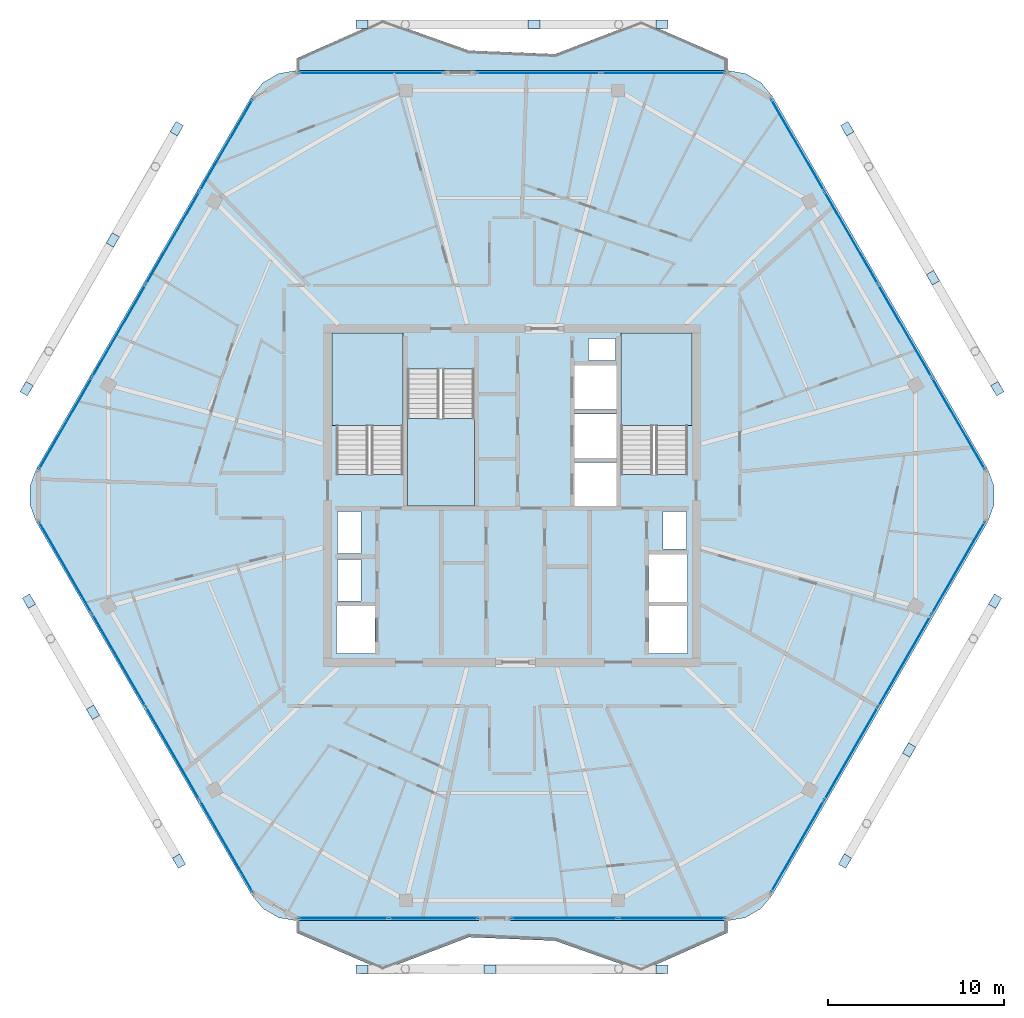
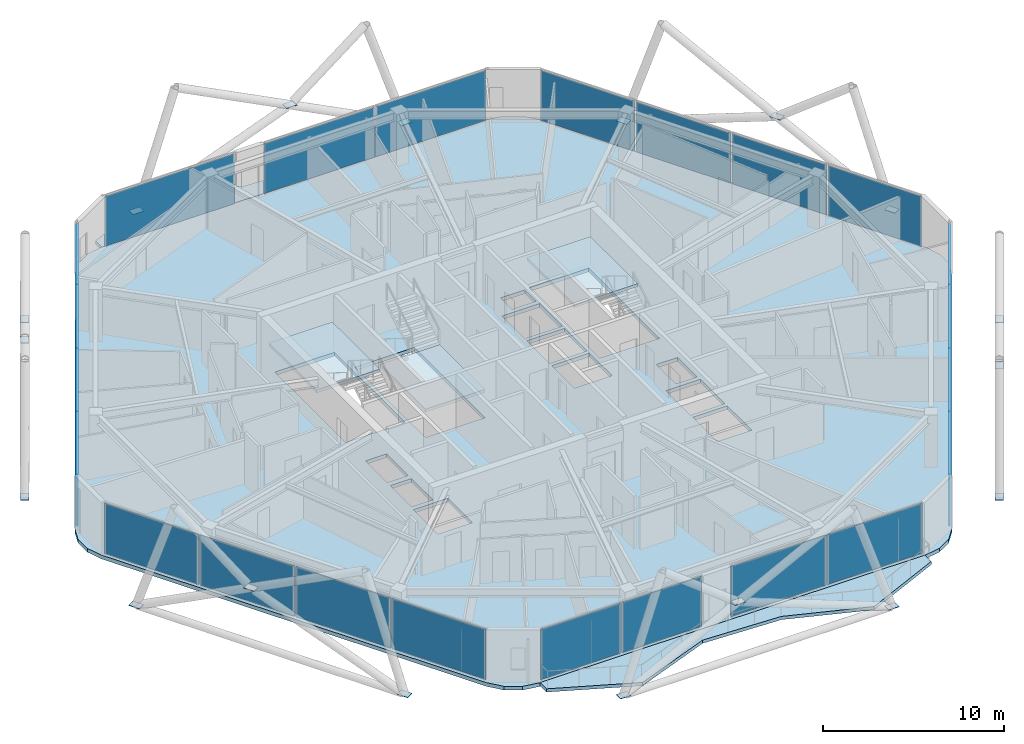
# One storey, part 15 of 23: 41 plates, 6 slabs, 11 elements without a shape of their own.
"""IFC4 building model written with IfcOpenShell, lengths in metres."""

from ifc_helpers import new_model, si_unit, direction, frame, origin, origin_2d, place, context, subcontext, project, spatial, polyline, rectangle, outline, extrude, material, layer, layer_set, type_object, element, aggregate, save


model = new_model("IFC4")

# Units and contexts
model_context = context("Model", 3, precision=1e-05, world=origin(), true_north=direction((0.0, 1.0)))
body_context = subcontext(model_context, "Body", "Model", "MODEL_VIEW")
ifc_project = project(units=[si_unit("LENGTHUNIT", "METRE"), si_unit("AREAUNIT", "SQUARE_METRE"), si_unit("VOLUMEUNIT", "CUBIC_METRE"), si_unit("PLANEANGLEUNIT", "RADIAN"), si_unit("MASSUNIT", "GRAM", prefix="KILO")], contexts=[model_context])

# Site, building, storey
site_placement = place(None, origin())
site = spatial("IfcSite", under=ifc_project, at=site_placement, CompositionType="ELEMENT")
building_placement = place(site_placement, origin())
building = spatial("IfcBuilding", under=site, at=building_placement, Name="Zuhravey Tower", CompositionType="ELEMENT")
storey_placement = place(building_placement, frame((0.0, 0.0, 346.199951171875)))
storey = spatial("IfcBuildingStorey", under=building, at=storey_placement, Name="L88", CompositionType="ELEMENT", Elevation=346.199951171875)

# Plates
ifc_material_1 = material(Name="Steel SM460", Category="steel")
ifc_layer_1 = layer(ifc_material_1, 0.028076171875)
ifc_layer_set_1 = layer_set([ifc_layer_1], Name="Steel SM460")
plate_type_1 = type_object("IfcPlateType", Name="Exoskeleton Zone 4 Node Plate ND4", PredefinedType="SHEET", material=ifc_layer_set_1)
for number, where, z_axis, x_axis, name in (
    (1, (63.6435546875, 38.087890625, -0.47802734375), (0.0, 0.0, 1.0), (-0.5, 0.866025403784, 0.0), "L88 Exoskeleton Node Gusset L88-01"),
    (2, (55.093994140625, 52.89599609375, -0.47802734375), (0.0, 0.0, 1.0), (-0.5, 0.866025403784, 0.0), "L88 Exoskeleton Node Gusset L88-02"),
    (3, (44.549560546875, 58.833984375, -0.47802734375), (0.0, 0.0, 1.0), (-1.0, 0.0, 0.0), "L88 Exoskeleton Node Gusset L88-03"),
    (4, (27.450439453125, 58.833984375, -0.47802734375), (0.0, 0.0, 1.0), (-1.0, 0.0, 0.0), "L88 Exoskeleton Node Gusset L88-04"),
    (5, (16.906005859375, 52.89599609375, -0.47802734375), (0.0, 0.0, 1.0), (-0.5, -0.866025403784, 0.0), "L88 Exoskeleton Node Gusset L88-05"),
    (6, (8.3564453125, 38.087890625, -0.47802734375), (0.0, 0.0, 1.0), (-0.5, -0.866025403784, 0.0), "L88 Exoskeleton Node Gusset L88-06"),
    (7, (8.486328125, 25.987060546875, -0.47802734375), (0.0, 0.0, 1.0), (0.5, -0.866025403784, 0.0), "L88 Exoskeleton Node Gusset L88-07"),
    (8, (17.035888671875, 11.178955078125, -0.47802734375), (0.0, 0.0, 1.0), (0.5, -0.866025403784, 0.0), "L88 Exoskeleton Node Gusset L88-08"),
    (9, (27.450439453125, 5.015869140625, -0.47802734375), (0.0, 0.0, 1.0), (1.0, 0.0, 0.0), "L88 Exoskeleton Node Gusset L88-09"),
    (10, (44.549560546875, 5.015869140625, -0.47802734375), (0.0, 0.0, 1.0), (1.0, 0.0, 0.0), "L88 Exoskeleton Node Gusset L88-10"),
    (11, (54.964111328125, 11.178955078125, -0.47802734375), (0.0, 0.0, 1.0), (0.5, 0.866025403784, 0.0), "L88 Exoskeleton Node Gusset L88-11"),
    (12, (63.513671875, 25.987060546875, -0.47802734375), (0.0, 0.0, 1.0), (0.5, 0.866025403784, 0.0), "L88 Exoskeleton Node Gusset L88-12"),
    (13, (59.976318359375, 44.409912109375, 3.25439453125), (0.0, 0.0, 1.0), (-0.5, 0.866025403784, 0.0), "L88 Face 1 Diagrid X-Crossing Plate"),
    (14, (37.2412109375, 58.833984375, 3.25439453125), (0.0, 0.0, 1.0), (-1.0, 0.0, 0.0), "L88 Face 2 Diagrid X-Crossing Plate"),
    (15, (13.2646484375, 46.559326171875, 3.25439453125), (0.0, 0.0, 1.0), (-0.5, -0.866025403784, 0.0), "L88 Face 3 Diagrid X-Crossing Plate"),
    (16, (12.140380859375, 19.65771484375, 3.25439453125), (0.0, 0.0, 1.0), (0.5, -0.866025403784, 0.0), "L88 Face 4 Diagrid X-Crossing Plate"),
    (17, (34.7587890625, 5.031005859375, 3.25439453125), (0.0, 0.0, 1.0), (1.0, 0.0, 0.0), "L88 Face 5 Diagrid X-Crossing Plate"),
    (18, (58.618408203125, 17.50830078125, 3.25439453125), (0.0, 0.0, 1.0), (0.5, 0.866025403784, 0.0), "L88 Face 6 Diagrid X-Crossing Plate"),
):
    element("IfcPlate", number, at=place(storey_placement, frame(where, z_axis=z_axis, x_axis=x_axis)), inside=storey, type_object=plate_type_1, Name=name, PredefinedType="SHEET", context=body_context, shape_type="SweptSolid", body=[
        extrude(rectangle(XDim=0.679931640625, YDim=0.47998046875, at=origin_2d()), origin(), (0.0, 0.0, 1.0), 0.028076171875),
    ])

# Slabs
ifc_material_2 = material(Name="Concrete C50/60", Category="concrete")
ifc_layer_2 = layer(ifc_material_2, 0.25)
ifc_layer_set_2 = layer_set([ifc_layer_2], Name="Concrete C50/60")
slab_type_1 = type_object("IfcSlabType", Name="Residential Acoustic Slab 250", PredefinedType="FLOOR", material=ifc_layer_set_2)
slab_1_placement = place(storey_placement, frame((0.0, 0.0, -0.25)))
element("IfcSlab", 19, at=slab_1_placement, inside=storey, type_object=slab_type_1, Name="L88 Floor Slab FS25", PredefinedType="FLOOR", context=body_context, shape_type="SweptSolid", body=[
    extrude(outline(polyline([(63.1083984375, 30.52490234375), (63.458740234375, 31.48779296875), (63.458740234375, 32.51220703125), (63.1083984375, 33.47509765625), (50.83154296875, 54.739013671875), (50.173095703125, 55.52392578125), (49.285888671875, 56.0361328125), (48.27685546875, 56.214111328125), (23.72314453125, 56.214111328125), (22.714111328125, 56.0361328125), (21.826904296875, 55.52392578125), (21.16845703125, 54.739013671875), (8.8916015625, 33.47509765625), (8.541259765625, 32.51220703125), (8.541259765625, 31.48779296875), (8.8916015625, 30.52490234375), (21.16845703125, 9.260986328125), (21.826904296875, 8.47607421875), (22.714111328125, 7.9638671875), (23.72314453125, 7.785888671875), (48.27685546875, 7.785888671875), (49.285888671875, 7.9638671875), (50.173095703125, 8.47607421875), (50.83154296875, 9.260986328125), (63.1083984375, 30.52490234375)]), holes=[polyline([(29.800048828125, 33.20068359375), (29.800048828125, 41.0), (26.0, 41.0), (26.0, 33.20068359375), (29.800048828125, 33.20068359375)]), polyline([(46.0, 33.20068359375), (46.0, 41.0), (42.199951171875, 41.0), (42.199951171875, 33.20068359375), (46.0, 33.20068359375)]), polyline([(30.050048828125, 39.199462890625), (30.050048828125, 31.39990234375), (33.85009765625, 31.39990234375), (33.85009765625, 39.199462890625), (30.050048828125, 39.199462890625)]), polyline([(39.550048828125, 31.39990234375), (41.949951171875, 31.39990234375), (41.949951171875, 33.89990234375), (39.550048828125, 33.89990234375), (39.550048828125, 31.39990234375)]), polyline([(39.550048828125, 34.14990234375), (41.949951171875, 34.14990234375), (41.949951171875, 36.64990234375), (39.550048828125, 36.64990234375), (39.550048828125, 34.14990234375)]), polyline([(39.550048828125, 36.89990234375), (41.949951171875, 36.89990234375), (41.949951171875, 39.39990234375), (39.550048828125, 39.39990234375), (39.550048828125, 36.89990234375)]), polyline([(26.0, 23.0), (28.199951171875, 23.0), (28.199951171875, 25.699951171875), (26.0, 25.699951171875), (26.0, 23.0)]), polyline([(43.800048828125, 23.0), (46.0, 23.0), (46.0, 25.699951171875), (43.800048828125, 25.699951171875), (43.800048828125, 23.0)]), polyline([(43.800048828125, 25.949951171875), (46.0, 25.949951171875), (46.0, 28.64990234375), (43.800048828125, 28.64990234375), (43.800048828125, 25.949951171875)]), polyline([(26.050048828125, 26.0), (27.39990234375, 26.0), (27.39990234375, 28.35009765625), (26.050048828125, 28.35009765625), (26.050048828125, 26.0)]), polyline([(26.050048828125, 28.699951171875), (27.39990234375, 28.699951171875), (27.39990234375, 31.10009765625), (26.050048828125, 31.10009765625), (26.050048828125, 28.699951171875)]), polyline([(44.60009765625, 28.949951171875), (45.949951171875, 28.949951171875), (45.949951171875, 31.10009765625), (44.60009765625, 31.10009765625), (44.60009765625, 28.949951171875)]), polyline([(40.35009765625, 39.699951171875), (41.89990234375, 39.699951171875), (41.89990234375, 40.949951171875), (40.35009765625, 40.949951171875), (40.35009765625, 39.699951171875)])]), origin(), (0.0, 0.0, 1.0), 0.25),
])
ifc_material_3 = material(Name="Concrete C40/50", Category="concrete")
ifc_layer_3 = layer(ifc_material_3, 0.219970703125)
ifc_layer_set_3 = layer_set([ifc_layer_3], Name="Concrete C40/50")
slab_type_2 = type_object("IfcSlabType", Name="Sinusoidal Residential Wave Balcony 220", PredefinedType="FLOOR", material=ifc_layer_set_3)
slab_2_placement = place(storey_placement, frame((0.0, 0.0, -0.219970703125)))
element("IfcSlab", 20, at=slab_2_placement, inside=storey, type_object=slab_type_2, Name="L88 Face 5 Wave Balcony WB22", PredefinedType="FLOOR", context=body_context, shape_type="SweptSolid", body=[
    extrude(outline(polyline([(23.731689453125, 7.80078125), (48.268310546875, 7.80078125), (48.268310546875, 7.100830078125), (43.36083984375, 4.913330078125), (38.45361328125, 6.648681640625), (33.54638671875, 6.852294921875), (28.63916015625, 4.97509765625), (23.731689453125, 7.100830078125), (23.731689453125, 7.80078125)])), origin(), (0.0, 0.0, 1.0), 0.219970703125),
])
slab_3_placement = place(storey_placement, frame((0.0, 0.0, -0.219970703125)))
element("IfcSlab", 21, at=slab_3_placement, inside=storey, type_object=slab_type_2, Name="L88 Face 2 Wave Balcony WB22", PredefinedType="FLOOR", context=body_context, shape_type="SweptSolid", body=[
    extrude(outline(polyline([(48.268310546875, 56.19921875), (23.731689453125, 56.19921875), (23.731689453125, 56.899169921875), (28.63916015625, 59.086669921875), (33.54638671875, 57.351318359375), (38.45361328125, 57.147705078125), (43.36083984375, 59.02490234375), (48.268310546875, 56.899169921875), (48.268310546875, 56.19921875)])), origin(), (0.0, 0.0, 1.0), 0.219970703125),
])

# Stair, slab
stair_type = type_object("IfcStairType", Name="Housing Storey Stair Assembly 3800", PredefinedType="HALF_TURN_STAIR", material=ifc_material_3)
stair_1_placement = place(storey_placement, origin())
stair_1 = element("IfcStair", 22, at=stair_1_placement, inside=storey, type_object=stair_type, Name="L88 Core Exit Stair ST1", PredefinedType="HALF_TURN_STAIR")
ifc_layer_4 = layer(ifc_material_3, 0.199951171875)
ifc_layer_set_4 = layer_set([ifc_layer_4], Name="Concrete C40/50")
slab_type_3 = type_object("IfcSlabType", Name="Stair Landing Slab 200", PredefinedType="LANDING", material=ifc_layer_set_4)
slab_4_placement = place(storey_placement, frame((0.0, 0.0, 1.699951171875)))
slab_4 = element("IfcSlab", 23, at=slab_4_placement, type_object=slab_type_3, Name="ST1 landing 1", PredefinedType="LANDING", context=body_context, shape_type="SweptSolid", body=[
    extrude(outline(polyline([(29.800048828125, 36.0), (29.800048828125, 41.248046875), (25.751953125, 41.248046875), (25.751953125, 36.0), (29.800048828125, 36.0)])), origin(), (0.0, 0.0, 1.0), 0.2001953125),
])
aggregate(stair_1, [slab_4])

stair_2_placement = place(storey_placement, origin())
stair_2 = element("IfcStair", 24, at=stair_2_placement, inside=storey, type_object=stair_type, Name="L88 Core Exit Stair ST2", PredefinedType="HALF_TURN_STAIR")
slab_5_placement = place(storey_placement, frame((0.0, 0.0, 1.699951171875)))
slab_5 = element("IfcSlab", 25, at=slab_5_placement, type_object=slab_type_3, Name="ST2 landing 1", PredefinedType="LANDING", context=body_context, shape_type="SweptSolid", body=[
    extrude(outline(polyline([(46.248046875, 36.0), (46.248046875, 41.248046875), (42.199951171875, 41.248046875), (42.199951171875, 36.0), (46.248046875, 36.0)])), origin(), (0.0, 0.0, 1.0), 0.2001953125),
])
aggregate(stair_2, [slab_5])

stair_3_placement = place(storey_placement, origin())
stair_3 = element("IfcStair", 26, at=stair_3_placement, inside=storey, type_object=stair_type, Name="L88 Core Exit Stair ST3", PredefinedType="HALF_TURN_STAIR")
slab_6_placement = place(storey_placement, frame((0.0, 0.0, 1.699951171875)))
slab_6 = element("IfcSlab", 27, at=slab_6_placement, type_object=slab_type_3, Name="ST3 landing 1", PredefinedType="LANDING", context=body_context, shape_type="SweptSolid", body=[
    extrude(outline(polyline([(30.050048828125, 36.39990234375), (30.050048828125, 31.39990234375), (33.85009765625, 31.39990234375), (33.85009765625, 36.39990234375), (30.050048828125, 36.39990234375)])), origin(), (0.0, 0.0, 1.0), 0.2001953125),
])
aggregate(stair_3, [slab_6])

# Curtain wall, plates
ifc_material_4 = material(Name="Thermally broken anodised aluminium", Category="aluminium")
curtain_wall_type = type_object("IfcCurtainWallType", Name="Zone 3-4 High-Rise Curtain Wall CW4", PredefinedType="NOTDEFINED", material=ifc_material_4)
curtain_wall_1_placement = place(storey_placement, origin())
curtain_wall_1 = element("IfcCurtainWall", 28, at=curtain_wall_1_placement, inside=storey, type_object=curtain_wall_type, Name="L88 CW4 CW-L88-F6-1", PredefinedType="NOTDEFINED")
ifc_material_5 = material(Name="Triple low-E insulated vision glass", Category="glass")
ifc_layer_5 = layer(ifc_material_5, 0.0419921875)
ifc_layer_set_5 = layer_set([ifc_layer_5], Name="Triple low-E insulated vision glass")
plate_type_2 = type_object("IfcPlateType", Name="Triple Low-E Vision Panel", PredefinedType="CURTAIN_PANEL", material=ifc_layer_set_5)
plate_1_placement = place(storey_placement, frame((61.42724609375, 27.89306640625, 0.090087890625), z_axis=(0.0, 0.0, 1.0), x_axis=(-0.49999981336, -0.866025511541, 0.0)))
plate_1 = element("IfcPlate", 29, at=plate_1_placement, type_object=plate_type_2, Name="CW4 panel 1.1", PredefinedType="CURTAIN_PANEL", context=body_context, shape_type="SweptSolid", body=[
    extrude(rectangle(XDim=5.984619140625, YDim=0.0419921875, at=origin_2d()), origin(), (0.0, 0.0, 1.0), 3.3701171875),
])
plate_2_placement = place(storey_placement, frame((58.378662109375, 22.61279296875, 0.090087890625), z_axis=(0.0, 0.0, 1.0), x_axis=(-0.49999981336, -0.866025511541, 0.0)))
plate_2 = element("IfcPlate", 30, at=plate_2_placement, type_object=plate_type_2, Name="CW4 panel 2.1", PredefinedType="CURTAIN_PANEL", context=body_context, shape_type="SweptSolid", body=[
    extrude(rectangle(XDim=6.029541015625, YDim=0.0419921875, at=origin_2d()), origin(), (0.0, 0.0, 1.0), 3.3701171875),
])
plate_3_placement = place(storey_placement, frame((55.31884765625, 17.31298828125, 0.090087890625), z_axis=(0.0, 0.0, 1.0), x_axis=(-0.49999981336, -0.866025511541, 0.0)))
plate_3 = element("IfcPlate", 31, at=plate_3_placement, type_object=plate_type_2, Name="CW4 panel 3.1", PredefinedType="CURTAIN_PANEL", context=body_context, shape_type="SweptSolid", body=[
    extrude(rectangle(XDim=6.029541015625, YDim=0.0419921875, at=origin_2d()), origin(), (0.0, 0.0, 1.0), 3.3701171875),
])
plate_4_placement = place(storey_placement, frame((52.270263671875, 12.03271484375, 0.090087890625), z_axis=(0.0, 0.0, 1.0), x_axis=(-0.49999981336, -0.866025511541, 0.0)))
plate_4 = element("IfcPlate", 32, at=plate_4_placement, type_object=plate_type_2, Name="CW4 panel 4.1", PredefinedType="CURTAIN_PANEL", context=body_context, shape_type="SweptSolid", body=[
    extrude(rectangle(XDim=5.984619140625, YDim=0.0419921875, at=origin_2d()), origin(), (0.0, 0.0, 1.0), 3.3701171875),
])
aggregate(curtain_wall_1, [plate_1, plate_2, plate_3, plate_4])

curtain_wall_2_placement = place(storey_placement, origin())
curtain_wall_2 = element("IfcCurtainWall", 33, at=curtain_wall_2_placement, inside=storey, type_object=curtain_wall_type, Name="L88 CW4 CW-L88-F5-1", PredefinedType="NOTDEFINED")
plate_5_placement = place(storey_placement, frame((45.12646484375, 7.92578125, 0.090087890625), z_axis=(0.0, 0.0, 1.0), x_axis=(-1.0, 0.0, 0.0)))
plate_5 = element("IfcPlate", 34, at=plate_5_placement, type_object=plate_type_2, Name="CW4 panel 1.1", PredefinedType="CURTAIN_PANEL", context=body_context, shape_type="SweptSolid", body=[
    extrude(rectangle(XDim=6.045654296875, YDim=0.0419921875, at=origin_2d()), origin(), (0.0, 0.0, 1.0), 3.3701171875),
])
plate_6_placement = place(storey_placement, frame((38.99072265625, 7.92578125, 0.090087890625), z_axis=(0.0, 0.0, 1.0), x_axis=(-1.0, 0.0, 0.0)))
plate_6 = element("IfcPlate", 35, at=plate_6_placement, type_object=plate_type_2, Name="CW4 panel 2.1", PredefinedType="CURTAIN_PANEL", context=body_context, shape_type="SweptSolid", body=[
    extrude(rectangle(XDim=6.045654296875, YDim=0.0419921875, at=origin_2d()), origin(), (0.0, 0.0, 1.0), 3.3701171875),
])
aggregate(curtain_wall_2, [plate_5, plate_6])

curtain_wall_3_placement = place(storey_placement, origin())
curtain_wall_3 = element("IfcCurtainWall", 36, at=curtain_wall_3_placement, inside=storey, type_object=curtain_wall_type, Name="L88 CW4 CW-L88-F5-2", PredefinedType="NOTDEFINED")
plate_7_placement = place(storey_placement, frame((31.55126953125, 7.92578125, 0.090087890625), z_axis=(0.0, 0.0, 1.0), x_axis=(-1.0, 0.0, 0.0)))
plate_7 = element("IfcPlate", 37, at=plate_7_placement, type_object=plate_type_2, Name="CW4 panel 1.1", PredefinedType="CURTAIN_PANEL", context=body_context, shape_type="SweptSolid", body=[
    extrude(rectangle(XDim=5.07373046875, YDim=0.0419921875, at=origin_2d()), origin(), (0.0, 0.0, 1.0), 3.3701171875),
])
plate_8_placement = place(storey_placement, frame((26.387451171875, 7.92578125, 0.090087890625), z_axis=(0.0, 0.0, 1.0), x_axis=(-1.0, 0.0, 0.0)))
plate_8 = element("IfcPlate", 38, at=plate_8_placement, type_object=plate_type_2, Name="CW4 panel 2.1", PredefinedType="CURTAIN_PANEL", context=body_context, shape_type="SweptSolid", body=[
    extrude(rectangle(XDim=5.07373046875, YDim=0.0419921875, at=origin_2d()), origin(), (0.0, 0.0, 1.0), 3.3701171875),
])
aggregate(curtain_wall_3, [plate_7, plate_8])

curtain_wall_4_placement = place(storey_placement, origin())
curtain_wall_4 = element("IfcCurtainWall", 39, at=curtain_wall_4_placement, inside=storey, type_object=curtain_wall_type, Name="L88 CW4 CW-L88-F4-1", PredefinedType="NOTDEFINED")
plate_9_placement = place(storey_placement, frame((19.729736328125, 12.03271484375, 0.090087890625), z_axis=(0.0, 0.0, 1.0), x_axis=(-0.49999981336, 0.866025511541, 0.0)))
plate_9 = element("IfcPlate", 40, at=plate_9_placement, type_object=plate_type_2, Name="CW4 panel 1.1", PredefinedType="CURTAIN_PANEL", context=body_context, shape_type="SweptSolid", body=[
    extrude(rectangle(XDim=5.984619140625, YDim=0.0419921875, at=origin_2d()), origin(), (0.0, 0.0, 1.0), 3.3701171875),
])
plate_10_placement = place(storey_placement, frame((16.68115234375, 17.31298828125, 0.090087890625), z_axis=(0.0, 0.0, 1.0), x_axis=(-0.49999981336, 0.866025511541, 0.0)))
plate_10 = element("IfcPlate", 41, at=plate_10_placement, type_object=plate_type_2, Name="CW4 panel 2.1", PredefinedType="CURTAIN_PANEL", context=body_context, shape_type="SweptSolid", body=[
    extrude(rectangle(XDim=6.029541015625, YDim=0.0419921875, at=origin_2d()), origin(), (0.0, 0.0, 1.0), 3.3701171875),
])
plate_11_placement = place(storey_placement, frame((13.621337890625, 22.61279296875, 0.090087890625), z_axis=(0.0, 0.0, 1.0), x_axis=(-0.49999981336, 0.866025511541, 0.0)))
plate_11 = element("IfcPlate", 42, at=plate_11_placement, type_object=plate_type_2, Name="CW4 panel 3.1", PredefinedType="CURTAIN_PANEL", context=body_context, shape_type="SweptSolid", body=[
    extrude(rectangle(XDim=6.029541015625, YDim=0.0419921875, at=origin_2d()), origin(), (0.0, 0.0, 1.0), 3.3701171875),
])
plate_12_placement = place(storey_placement, frame((10.57275390625, 27.89306640625, 0.090087890625), z_axis=(0.0, 0.0, 1.0), x_axis=(-0.49999981336, 0.866025511541, 0.0)))
plate_12 = element("IfcPlate", 43, at=plate_12_placement, type_object=plate_type_2, Name="CW4 panel 4.1", PredefinedType="CURTAIN_PANEL", context=body_context, shape_type="SweptSolid", body=[
    extrude(rectangle(XDim=5.984619140625, YDim=0.0419921875, at=origin_2d()), origin(), (0.0, 0.0, 1.0), 3.3701171875),
])
aggregate(curtain_wall_4, [plate_9, plate_10, plate_11, plate_12])

curtain_wall_5_placement = place(storey_placement, origin())
curtain_wall_5 = element("IfcCurtainWall", 44, at=curtain_wall_5_placement, inside=storey, type_object=curtain_wall_type, Name="L88 CW4 CW-L88-F3-1", PredefinedType="NOTDEFINED")
plate_13_placement = place(storey_placement, frame((10.57275390625, 36.10693359375, 0.090087890625), z_axis=(0.0, 0.0, 1.0), x_axis=(0.49999981336, 0.866025511541, 0.0)))
plate_13 = element("IfcPlate", 45, at=plate_13_placement, type_object=plate_type_2, Name="CW4 panel 1.1", PredefinedType="CURTAIN_PANEL", context=body_context, shape_type="SweptSolid", body=[
    extrude(rectangle(XDim=5.984619140625, YDim=0.0419921875, at=origin_2d()), origin(), (0.0, 0.0, 1.0), 3.3701171875),
])
plate_14_placement = place(storey_placement, frame((13.621337890625, 41.38720703125, 0.090087890625), z_axis=(0.0, 0.0, 1.0), x_axis=(0.49999981336, 0.866025511541, 0.0)))
plate_14 = element("IfcPlate", 46, at=plate_14_placement, type_object=plate_type_2, Name="CW4 panel 2.1", PredefinedType="CURTAIN_PANEL", context=body_context, shape_type="SweptSolid", body=[
    extrude(rectangle(XDim=6.029541015625, YDim=0.0419921875, at=origin_2d()), origin(), (0.0, 0.0, 1.0), 3.3701171875),
])
plate_15_placement = place(storey_placement, frame((16.68115234375, 46.68701171875, 0.090087890625), z_axis=(0.0, 0.0, 1.0), x_axis=(0.49999981336, 0.866025511541, 0.0)))
plate_15 = element("IfcPlate", 47, at=plate_15_placement, type_object=plate_type_2, Name="CW4 panel 3.1", PredefinedType="CURTAIN_PANEL", context=body_context, shape_type="SweptSolid", body=[
    extrude(rectangle(XDim=6.029541015625, YDim=0.0419921875, at=origin_2d()), origin(), (0.0, 0.0, 1.0), 3.3701171875),
])
plate_16_placement = place(storey_placement, frame((19.729736328125, 51.96728515625, 0.090087890625), z_axis=(0.0, 0.0, 1.0), x_axis=(0.49999981336, 0.866025511541, 0.0)))
plate_16 = element("IfcPlate", 48, at=plate_16_placement, type_object=plate_type_2, Name="CW4 panel 4.1", PredefinedType="CURTAIN_PANEL", context=body_context, shape_type="SweptSolid", body=[
    extrude(rectangle(XDim=5.984619140625, YDim=0.0419921875, at=origin_2d()), origin(), (0.0, 0.0, 1.0), 3.3701171875),
])
aggregate(curtain_wall_5, [plate_13, plate_14, plate_15, plate_16])

# Curtain wall, plate
curtain_wall_6_placement = place(storey_placement, origin())
curtain_wall_6 = element("IfcCurtainWall", 49, at=curtain_wall_6_placement, inside=storey, type_object=curtain_wall_type, Name="L88 CW4 CW-L88-F2-1", PredefinedType="NOTDEFINED")
plate_17_placement = place(storey_placement, frame((27.979248046875, 56.07421875, 0.090087890625), z_axis=(0.0, 0.0, 1.0), x_axis=(1.0, 0.0, 0.0)))
plate_17 = element("IfcPlate", 50, at=plate_17_placement, type_object=plate_type_2, Name="CW4 panel 1.1", PredefinedType="CURTAIN_PANEL", context=body_context, shape_type="SweptSolid", body=[
    extrude(rectangle(XDim=8.257080078125, YDim=0.0419921875, at=origin_2d()), origin(), (0.0, 0.0, 1.0), 3.3701171875),
])
aggregate(curtain_wall_6, [plate_17])

# Curtain wall, plates
curtain_wall_7_placement = place(storey_placement, origin())
curtain_wall_7 = element("IfcCurtainWall", 51, at=curtain_wall_7_placement, inside=storey, type_object=curtain_wall_type, Name="L88 CW4 CW-L88-F2-2", PredefinedType="NOTDEFINED")
plate_18_placement = place(storey_placement, frame((37.505615234375, 56.07421875, 0.090087890625), z_axis=(0.0, 0.0, 1.0), x_axis=(1.0, 0.0, 0.0)))
plate_18 = element("IfcPlate", 52, at=plate_18_placement, type_object=plate_type_2, Name="CW4 panel 1.1", PredefinedType="CURTAIN_PANEL", context=body_context, shape_type="SweptSolid", body=[
    extrude(rectangle(XDim=7.03564453125, YDim=0.0419921875, at=origin_2d()), origin(), (0.0, 0.0, 1.0), 3.3701171875),
])
plate_19_placement = place(storey_placement, frame((44.63134765625, 56.07421875, 0.090087890625), z_axis=(0.0, 0.0, 1.0), x_axis=(1.0, 0.0, 0.0)))
plate_19 = element("IfcPlate", 53, at=plate_19_placement, type_object=plate_type_2, Name="CW4 panel 2.1", PredefinedType="CURTAIN_PANEL", context=body_context, shape_type="SweptSolid", body=[
    extrude(rectangle(XDim=7.03564453125, YDim=0.0419921875, at=origin_2d()), origin(), (0.0, 0.0, 1.0), 3.3701171875),
])
aggregate(curtain_wall_7, [plate_18, plate_19])

curtain_wall_8_placement = place(storey_placement, origin())
curtain_wall_8 = element("IfcCurtainWall", 54, at=curtain_wall_8_placement, inside=storey, type_object=curtain_wall_type, Name="L88 CW4 CW-L88-F1-1", PredefinedType="NOTDEFINED")
plate_20_placement = place(storey_placement, frame((52.270263671875, 51.96728515625, 0.090087890625), z_axis=(0.0, 0.0, 1.0), x_axis=(0.49999981336, -0.866025511541, 0.0)))
plate_20 = element("IfcPlate", 55, at=plate_20_placement, type_object=plate_type_2, Name="CW4 panel 1.1", PredefinedType="CURTAIN_PANEL", context=body_context, shape_type="SweptSolid", body=[
    extrude(rectangle(XDim=5.984619140625, YDim=0.0419921875, at=origin_2d()), origin(), (0.0, 0.0, 1.0), 3.3701171875),
])
plate_21_placement = place(storey_placement, frame((55.31884765625, 46.68701171875, 0.090087890625), z_axis=(0.0, 0.0, 1.0), x_axis=(0.49999981336, -0.866025511541, 0.0)))
plate_21 = element("IfcPlate", 56, at=plate_21_placement, type_object=plate_type_2, Name="CW4 panel 2.1", PredefinedType="CURTAIN_PANEL", context=body_context, shape_type="SweptSolid", body=[
    extrude(rectangle(XDim=6.029541015625, YDim=0.0419921875, at=origin_2d()), origin(), (0.0, 0.0, 1.0), 3.3701171875),
])
plate_22_placement = place(storey_placement, frame((58.378662109375, 41.38720703125, 0.090087890625), z_axis=(0.0, 0.0, 1.0), x_axis=(0.49999981336, -0.866025511541, 0.0)))
plate_22 = element("IfcPlate", 57, at=plate_22_placement, type_object=plate_type_2, Name="CW4 panel 3.1", PredefinedType="CURTAIN_PANEL", context=body_context, shape_type="SweptSolid", body=[
    extrude(rectangle(XDim=6.029541015625, YDim=0.0419921875, at=origin_2d()), origin(), (0.0, 0.0, 1.0), 3.3701171875),
])
plate_23_placement = place(storey_placement, frame((61.42724609375, 36.10693359375, 0.090087890625), z_axis=(0.0, 0.0, 1.0), x_axis=(0.49999981336, -0.866025511541, 0.0)))
plate_23 = element("IfcPlate", 58, at=plate_23_placement, type_object=plate_type_2, Name="CW4 panel 4.1", PredefinedType="CURTAIN_PANEL", context=body_context, shape_type="SweptSolid", body=[
    extrude(rectangle(XDim=5.984619140625, YDim=0.0419921875, at=origin_2d()), origin(), (0.0, 0.0, 1.0), 3.3701171875),
])
aggregate(curtain_wall_8, [plate_20, plate_21, plate_22, plate_23])

save(model, "model.ifc")
